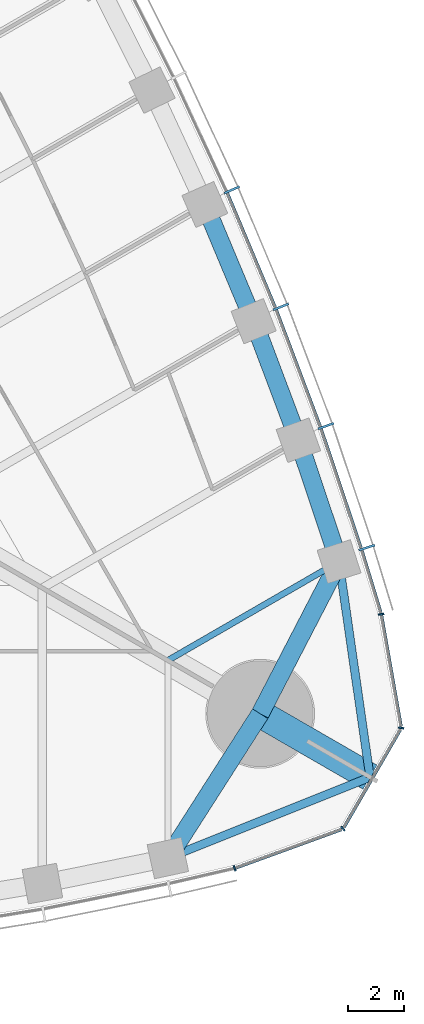
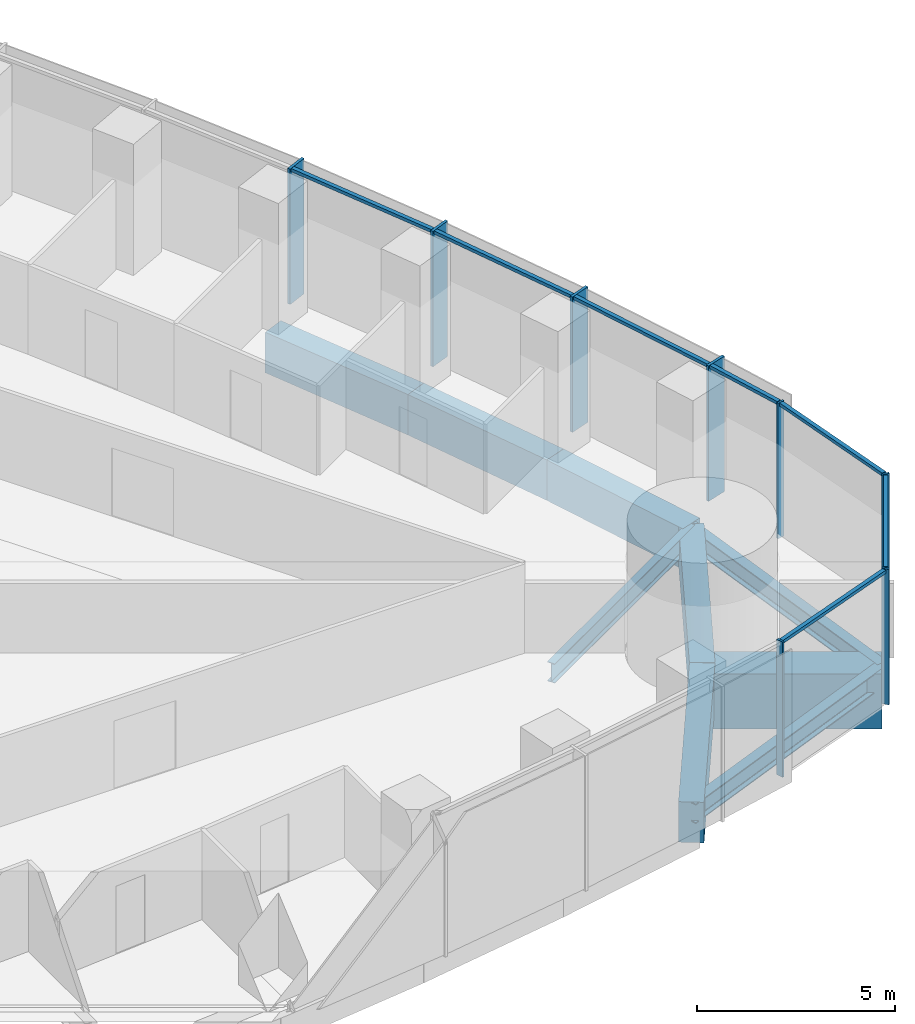
# One storey, part 8 of 21: 15 members, 9 beams, 2 elements without a shape of their own.
"""IFC4 building model written with IfcOpenShell, lengths in metres."""

from ifc_helpers import new_model, si_unit, direction, frame, origin, origin_2d, place, context, subcontext, project, spatial, rectangle, i_section, extrude, material, material_profile, profile_set, type_object, element, aggregate, save


model = new_model("IFC4")

# Units and contexts
model_context = context("Model", 3, precision=1e-05, world=origin(), true_north=direction((0.0, 1.0)))
body_context = subcontext(model_context, "Body", "Model", "MODEL_VIEW")
ifc_project = project(units=[si_unit("LENGTHUNIT", "METRE"), si_unit("AREAUNIT", "SQUARE_METRE"), si_unit("VOLUMEUNIT", "CUBIC_METRE"), si_unit("PLANEANGLEUNIT", "RADIAN"), si_unit("MASSUNIT", "GRAM", prefix="KILO")], contexts=[model_context])

# Site, building, storey
site_placement = place(None, origin())
site = spatial("IfcSite", under=ifc_project, at=site_placement, CompositionType="ELEMENT")
building_placement = place(site_placement, origin())
building = spatial("IfcBuilding", under=site, at=building_placement, Name="Trefoil Bronze Tower", CompositionType="ELEMENT")
storey_placement = place(building_placement, frame((0.0, 0.0, 149.300048828125)))
storey = spatial("IfcBuildingStorey", under=building, at=storey_placement, Name="L34", CompositionType="ELEMENT", Elevation=149.300048828125)

# Curtain wall, members
ifc_material_1 = material(Name="Tinted solar-control glass", Category="glass")
curtain_wall_type_1 = type_object("IfcCurtainWallType", Name="Bronze office curtain wall", PredefinedType="USERDEFINED", material=ifc_material_1)
curtain_wall_1_placement = place(storey_placement, origin())
curtain_wall_1 = element("IfcCurtainWall", 1, at=curtain_wall_1_placement, inside=storey, type_object=curtain_wall_type_1, Name="CW-A L34 F2", ObjectType="CURTAIN WALL", PredefinedType="USERDEFINED")
ifc_material_2 = material(Name="Bronze-finish aluminium", Category="aluminium")
ifc_material_profile_1 = material_profile(ifc_material_2, rectangle(XDim=0.60009765625, YDim=0.080078125, at=origin_2d()), Name="CW-A mullion")
ifc_profile_set_1 = profile_set([ifc_material_profile_1], Name="Bronze-finish aluminium")
member_type_1 = type_object("IfcMemberType", Name="Bronze office curtain wall mullion", PredefinedType="MULLION", material=ifc_profile_set_1)
member_1_placement = place(storey_placement, frame((34.1337890625, -11.543212890625, 0.0), z_axis=(0.0, 0.0, 1.0), x_axis=(-0.952331125357, -0.30506626768, 0.0)))
member_1 = element("IfcMember", 2, at=member_1_placement, type_object=member_type_1, Name="CW-A L34 F2 mullion 2", PredefinedType="MULLION", context=body_context, shape_type="SweptSolid", body=[
    extrude(rectangle(XDim=0.60009765625, YDim=0.080078125, at=origin_2d()), origin(), (0.0, 0.0, 1.0), 4.179931640625),
])
member_2_placement = place(storey_placement, frame((32.668701171875, -7.181884765625, 0.0), z_axis=(0.0, 0.0, 1.0), x_axis=(-0.94196250502, -0.335718094742, 0.0)))
member_2 = element("IfcMember", 3, at=member_2_placement, type_object=member_type_1, Name="CW-A L34 F2 mullion 3", PredefinedType="MULLION", context=body_context, shape_type="SweptSolid", body=[
    extrude(rectangle(XDim=0.60009765625, YDim=0.080078125, at=origin_2d()), origin(), (0.0, 0.0, 1.0), 4.179931640625),
])
member_3_placement = place(storey_placement, frame((31.055419921875, -2.90478515625, 0.0), z_axis=(0.0, 0.0, 1.0), x_axis=(-0.929071242848, -0.369900832269, 0.0)))
member_3 = element("IfcMember", 4, at=member_3_placement, type_object=member_type_1, Name="CW-A L34 F2 mullion 4", PredefinedType="MULLION", context=body_context, shape_type="SweptSolid", body=[
    extrude(rectangle(XDim=0.60009765625, YDim=0.080078125, at=origin_2d()), origin(), (0.0, 0.0, 1.0), 4.179931640625),
])
member_4_placement = place(storey_placement, frame((29.296875, 1.28857421875, 0.0), z_axis=(0.0, 0.0, 1.0), x_axis=(-0.915018269914, -0.40341240155, 0.0)))
member_4 = element("IfcMember", 5, at=member_4_placement, type_object=member_type_1, Name="CW-A L34 F2 mullion 5", PredefinedType="MULLION", context=body_context, shape_type="SweptSolid", body=[
    extrude(rectangle(XDim=0.60009765625, YDim=0.080078125, at=origin_2d()), origin(), (0.0, 0.0, 1.0), 4.179931640625),
])
ifc_material_3 = material(Name="Bronze-finish aluminium", Category="aluminium")
ifc_material_profile_2 = material_profile(ifc_material_3, rectangle(XDim=0.1201171875, YDim=0.10009765625, at=origin_2d()), Name="CW-A transom")
ifc_profile_set_2 = profile_set([ifc_material_profile_2], Name="Bronze-finish aluminium")
member_type_2 = type_object("IfcMemberType", Name="Bronze office curtain wall transom", PredefinedType="USERDEFINED", material=ifc_profile_set_2)
member_5_placement = place(storey_placement, frame((34.637939453125, -13.88232421875, 4.1298828125), z_axis=(-0.291680468798, 0.956515814883, 0.0), x_axis=(-0.956515814883, -0.291680468798, 0.0)))
member_5 = element("IfcMember", 6, at=member_5_placement, type_object=member_type_2, Name="CW-A L34 F2 transom 1", ObjectType="TRANSOM", PredefinedType="USERDEFINED", context=body_context, shape_type="SweptSolid", body=[
    extrude(rectangle(XDim=0.1201171875, YDim=0.10009765625, at=origin_2d()), origin(), (0.0, 0.0, 1.0), 2.34033203125),
])
member_6_placement = place(storey_placement, frame((33.929931640625, -11.56494140625, 4.1298828125), z_axis=(-0.318386323729, 0.947961048178, 0.0), x_axis=(-0.947961048178, -0.318386323729, 0.0)))
member_6 = element("IfcMember", 7, at=member_6_placement, type_object=member_type_2, Name="CW-A L34 F2 transom 2", ObjectType="TRANSOM", PredefinedType="USERDEFINED", context=body_context, shape_type="SweptSolid", body=[
    extrude(rectangle(XDim=0.1201171875, YDim=0.10009765625, at=origin_2d()), origin(), (0.0, 0.0, 1.0), 4.51123046875),
])
member_7_placement = place(storey_placement, frame((32.465576171875, -7.2099609375, 4.1298828125), z_axis=(-0.352932154759, 0.935648916067, 0.0), x_axis=(-0.935648916067, -0.352932154759, 0.0)))
member_7 = element("IfcMember", 8, at=member_7_placement, type_object=member_type_2, Name="CW-A L34 F2 transom 3", ObjectType="TRANSOM", PredefinedType="USERDEFINED", context=body_context, shape_type="SweptSolid", body=[
    extrude(rectangle(XDim=0.1201171875, YDim=0.10009765625, at=origin_2d()), origin(), (0.0, 0.0, 1.0), 4.48046875),
])
member_8_placement = place(storey_placement, frame((30.853515625, -2.940185546875, 4.1298828125), z_axis=(-0.386773266184, 0.922174842731, 0.0), x_axis=(-0.922174842731, -0.386773266184, 0.0)))
member_8 = element("IfcMember", 9, at=member_8_placement, type_object=member_type_2, Name="CW-A L34 F2 transom 4", ObjectType="TRANSOM", PredefinedType="USERDEFINED", context=body_context, shape_type="SweptSolid", body=[
    extrude(rectangle(XDim=0.1201171875, YDim=0.10009765625, at=origin_2d()), origin(), (0.0, 0.0, 1.0), 4.45654296875),
])
aggregate(curtain_wall_1, [member_1, member_2, member_3, member_4, member_5, member_6, member_7, member_8])

ifc_material_4 = material(Name="Tinted solar-control glass", Category="glass")
curtain_wall_type_2 = type_object("IfcCurtainWallType", Name="Bronze rounded corner curtain wall", PredefinedType="USERDEFINED", material=ifc_material_4)
curtain_wall_2_placement = place(storey_placement, origin())
curtain_wall_2 = element("IfcCurtainWall", 10, at=curtain_wall_2_placement, inside=storey, type_object=curtain_wall_type_2, Name="CW-B L34 K1", ObjectType="CURTAIN WALL", PredefinedType="USERDEFINED")
ifc_material_5 = material(Name="Bronze-finish aluminium", Category="aluminium")
ifc_material_profile_3 = material_profile(ifc_material_5, rectangle(XDim=0.199951171875, YDim=0.06005859375, at=origin_2d()), Name="CW-B mullion")
ifc_profile_set_3 = profile_set([ifc_material_profile_3], Name="Bronze-finish aluminium")
member_type_3 = type_object("IfcMemberType", Name="Bronze rounded corner curtain wall mullion", PredefinedType="MULLION", material=ifc_profile_set_3)
member_9_placement = place(storey_placement, frame((29.391845703125, -23.043701171875, 0.0), z_axis=(0.0, 0.0, 1.0), x_axis=(-0.342020143326, 0.939692620786, 0.0)))
member_9 = element("IfcMember", 11, at=member_9_placement, type_object=member_type_3, Name="CW-B L34 K1 mullion 1", PredefinedType="MULLION", context=body_context, shape_type="SweptSolid", body=[
    extrude(rectangle(XDim=0.199951171875, YDim=0.06005859375, at=origin_2d()), origin(), (0.0, 0.0, 1.0), 4.179931640625),
])
member_10_placement = place(storey_placement, frame((33.27880859375, -21.62255859375, 0.0), z_axis=(0.0, 0.0, 1.0), x_axis=(-0.642787609687, 0.766044443119, 0.0)))
member_10 = element("IfcMember", 12, at=member_10_placement, type_object=member_type_3, Name="CW-B L34 K1 mullion 2", PredefinedType="MULLION", context=body_context, shape_type="SweptSolid", body=[
    extrude(rectangle(XDim=0.199951171875, YDim=0.06005859375, at=origin_2d()), origin(), (0.0, 0.0, 1.0), 4.179931640625),
])
member_11_placement = place(storey_placement, frame((35.364990234375, -18.009033203125, 0.0), z_axis=(0.0, 0.0, 1.0), x_axis=(-0.984807753012, 0.173648177667, 0.0)))
member_11 = element("IfcMember", 13, at=member_11_placement, type_object=member_type_3, Name="CW-B L34 K1 mullion 3", PredefinedType="MULLION", context=body_context, shape_type="SweptSolid", body=[
    extrude(rectangle(XDim=0.199951171875, YDim=0.06005859375, at=origin_2d()), origin(), (0.0, 0.0, 1.0), 4.179931640625),
])
member_12_placement = place(storey_placement, frame((34.65234375, -13.932373046875, 0.0), z_axis=(0.0, 0.0, 1.0), x_axis=(-0.984807753012, -0.173648177667, 0.0)))
member_12 = element("IfcMember", 14, at=member_12_placement, type_object=member_type_3, Name="CW-B L34 K1 mullion 4", PredefinedType="MULLION", context=body_context, shape_type="SweptSolid", body=[
    extrude(rectangle(XDim=0.199951171875, YDim=0.06005859375, at=origin_2d()), origin(), (0.0, 0.0, 1.0), 4.179931640625),
])
ifc_material_6 = material(Name="Bronze-finish aluminium", Category="aluminium")
ifc_material_profile_4 = material_profile(ifc_material_6, rectangle(XDim=0.1201171875, YDim=0.10009765625, at=origin_2d()), Name="CW-B transom")
ifc_profile_set_4 = profile_set([ifc_material_profile_4], Name="Bronze-finish aluminium")
member_type_4 = type_object("IfcMemberType", Name="Bronze rounded corner curtain wall transom", PredefinedType="USERDEFINED", material=ifc_profile_set_4)
member_13_placement = place(storey_placement, frame((29.420166015625, -23.033447265625, 4.1298828125), z_axis=(0.939684096629, 0.342043562347, 0.0), x_axis=(-0.342043562347, 0.939684096629, 0.0)))
member_13 = element("IfcMember", 15, at=member_13_placement, type_object=member_type_4, Name="CW-B L34 K1 transom 1", ObjectType="TRANSOM", PredefinedType="USERDEFINED", context=body_context, shape_type="SweptSolid", body=[
    extrude(rectangle(XDim=0.1201171875, YDim=0.10009765625, at=origin_2d()), origin(), (0.0, 0.0, 1.0), 4.044189453125),
])
member_14_placement = place(storey_placement, frame((33.31591796875, -21.570068359375, 4.1298828125), z_axis=(0.500015078168, 0.866016698225, 0.0), x_axis=(-0.866016698225, 0.500015078168, 0.0)))
member_14 = element("IfcMember", 16, at=member_14_placement, type_object=member_type_4, Name="CW-B L34 K1 transom 2", ObjectType="TRANSOM", PredefinedType="USERDEFINED", context=body_context, shape_type="SweptSolid", body=[
    extrude(rectangle(XDim=0.1201171875, YDim=0.10009765625, at=origin_2d()), origin(), (0.0, 0.0, 1.0), 4.04443359375),
])
member_15_placement = place(storey_placement, frame((35.35986328125, -17.944580078125, 4.1298828125), z_axis=(-0.173682016639, 0.984801785689, 0.0), x_axis=(-0.984801785689, -0.173682016639, 0.0)))
member_15 = element("IfcMember", 17, at=member_15_placement, type_object=member_type_4, Name="CW-B L34 K1 transom 3", ObjectType="TRANSOM", PredefinedType="USERDEFINED", context=body_context, shape_type="SweptSolid", body=[
    extrude(rectangle(XDim=0.1201171875, YDim=0.10009765625, at=origin_2d()), origin(), (0.0, 0.0, 1.0), 4.044189453125),
])
aggregate(curtain_wall_2, [member_9, member_10, member_11, member_12, member_13, member_14, member_15])

# Beams
ifc_material_7 = material(Name="Concrete B80", Category="concrete")
ifc_material_profile_5 = material_profile(ifc_material_7, rectangle(XDim=1.0, YDim=1.699951171875, at=origin_2d()), Name="RC 1000x1700")
ifc_profile_set_5 = profile_set([ifc_material_profile_5], Name="Concrete B80")
beam_type_1 = type_object("IfcBeamType", Name="Corner cantilever RC 1000x1700", PredefinedType="BEAM", material=ifc_profile_set_5)
beam_1_placement = place(storey_placement, frame((30.310791015625, -17.5, -1.050048828125), z_axis=(0.866031878637, -0.499988785058, 0.0), x_axis=(0.499988785058, 0.866031878637, 0.0)))
element("IfcBeam", 18, at=beam_1_placement, inside=storey, type_object=beam_type_1, Name="Corner cantilever K1 L34", PredefinedType="BEAM", context=body_context, shape_type="SweptSolid", body=[
    extrude(rectangle(XDim=1.0, YDim=1.699951171875, at=origin_2d()), origin(), (0.0, 0.0, 1.0), 4.54931640625),
])
ifc_material_8 = material(Name="Steel C355", Category="steel")
ifc_material_profile_6 = material_profile(ifc_material_8, i_section(OverallWidth=0.300048828125, OverallDepth=0.60009765625, WebThickness=0.015380859375, FlangeThickness=0.030029296875, FilletRadius=0.027099609375, at=origin_2d()), Name="HEB 600")
ifc_profile_set_6 = profile_set([ifc_material_profile_6], Name="Steel C355")
beam_type_2 = type_object("IfcBeamType", Name="Corner edge beam HEB 600", PredefinedType="BEAM", material=ifc_profile_set_6)
for number, where, z_axis, x_axis, name in (
    (19, (27.0, -22.67724609375, -0.5), (0.928375332495, 0.371643972122, 0.0), (-0.371643972122, 0.928375332495, 0.0), "Corner edge beam F1A L34"),
    (20, (33.13916015625, -12.044189453125, -0.5), (0.142327214588, -0.989819662357, 0.0), (0.989819662357, 0.142327214588, 0.0), "Corner edge beam F2B L34"),
):
    element("IfcBeam", number, at=place(storey_placement, frame(where, z_axis=z_axis, x_axis=x_axis)), inside=storey, type_object=beam_type_2, Name=name, PredefinedType="BEAM", context=body_context, shape_type="SweptSolid", body=[
        extrude(i_section(OverallWidth=0.300048828125, OverallDepth=0.60009765625, WebThickness=0.015380859375, FlangeThickness=0.030029296875, FilletRadius=0.027099609375, at=origin_2d()), origin(), (0.0, 0.0, 1.0), 7.81005859375),
    ])
ifc_material_9 = material(Name="Concrete B80", Category="concrete")
ifc_material_profile_7 = material_profile(ifc_material_9, rectangle(XDim=0.64990234375, YDim=1.25, at=origin_2d()), Name="RC 650x1250")
ifc_profile_set_7 = profile_set([ifc_material_profile_7], Name="Concrete B80")
beam_type_3 = type_object("IfcBeamType", Name="End spandrel beam RC 650x1250", PredefinedType="SPANDREL", material=ifc_profile_set_7)
for number, where, z_axis, x_axis, name in (
    (21, (27.0, -22.67724609375, -0.824951171875), (0.53874814953, 0.84246687257, 0.0), (-0.84246687257, 0.53874814953, 0.0), "Spandrel F1.14 L34"),
    (22, (30.310791015625, -17.5, -0.824951171875), (0.460244107083, 0.887792409235, 0.0), (-0.887792409235, 0.460244107083, 0.0), "Spandrel F2.1 L34"),
):
    element("IfcBeam", number, at=place(storey_placement, frame(where, z_axis=z_axis, x_axis=x_axis)), inside=storey, type_object=beam_type_3, Name=name, PredefinedType="SPANDREL", context=body_context, shape_type="SweptSolid", body=[
        extrude(rectangle(XDim=0.64990234375, YDim=1.25, at=origin_2d()), origin(), (0.0, 0.0, 1.0), 6.145263671875),
    ])
ifc_material_10 = material(Name="Steel C355", Category="steel")
ifc_material_profile_8 = material_profile(ifc_material_10, i_section(OverallWidth=0.219970703125, OverallDepth=0.60009765625, WebThickness=0.011962890625, FlangeThickness=0.01904296875, FilletRadius=0.02392578125, at=origin_2d()), Name="IPE 600")
ifc_profile_set_8 = profile_set([ifc_material_profile_8], Name="Steel C355")
beam_type_4 = type_object("IfcBeamType", Name="Floor beam IPE 600", PredefinedType="BEAM", material=ifc_profile_set_8)
beam_2_placement = place(storey_placement, frame((33.13916015625, -12.044189453125, -0.5), z_axis=(-0.866041060244, -0.499972881236, 0.0), x_axis=(0.499972881236, -0.866041060244, 0.0)))
element("IfcBeam", 23, at=beam_2_placement, inside=storey, type_object=beam_type_4, Name="Floor beam F2/-6 L34", PredefinedType="BEAM", context=body_context, shape_type="SweptSolid", body=[
    extrude(i_section(OverallWidth=0.219970703125, OverallDepth=0.60009765625, WebThickness=0.011962890625, FlangeThickness=0.01904296875, FilletRadius=0.02392578125, at=origin_2d()), origin(), (0.0, 0.0, 1.0), 7.0888671875),
])
ifc_material_11 = material(Name="Concrete B80", Category="concrete")
ifc_material_profile_9 = material_profile(ifc_material_11, rectangle(XDim=0.64990234375, YDim=1.25, at=origin_2d()), Name="RC 650x1250")
ifc_profile_set_9 = profile_set([ifc_material_profile_9], Name="Concrete B80")
beam_type_5 = type_object("IfcBeamType", Name="Spandrel beam RC 650x1250", PredefinedType="SPANDREL", material=ifc_profile_set_9)
beam_3_placement = place(storey_placement, frame((33.13916015625, -12.044189453125, -0.824951171875), z_axis=(-0.31732802068, 0.948315837309, 0.0), x_axis=(-0.948315837309, -0.31732802068, 0.0)))
element("IfcBeam", 24, at=beam_3_placement, inside=storey, type_object=beam_type_5, Name="Spandrel F2.2 L34", PredefinedType="SPANDREL", context=body_context, shape_type="SweptSolid", body=[
    extrude(rectangle(XDim=0.64990234375, YDim=1.25, at=origin_2d()), origin(), (0.0, 0.0, 1.0), 4.59228515625),
])
beam_4_placement = place(storey_placement, frame((31.681884765625, -7.689208984375, -0.824951171875), z_axis=(-0.351938675523, 0.936023059904, 0.0), x_axis=(-0.936023059904, -0.351938675523, 0.0)))
element("IfcBeam", 25, at=beam_4_placement, inside=storey, type_object=beam_type_5, Name="Spandrel F2.3 L34", PredefinedType="SPANDREL", context=body_context, shape_type="SweptSolid", body=[
    extrude(rectangle(XDim=0.64990234375, YDim=1.25, at=origin_2d()), origin(), (0.0, 0.0, 1.0), 4.56103515625),
])
beam_5_placement = place(storey_placement, frame((30.07666015625, -3.419921875, -0.824951171875), z_axis=(-0.386013490858, 0.922493135408, 0.0), x_axis=(-0.922493135408, -0.386013490858, 0.0)))
element("IfcBeam", 26, at=beam_5_placement, inside=storey, type_object=beam_type_5, Name="Spandrel F2.4 L34", PredefinedType="SPANDREL", context=body_context, shape_type="SweptSolid", body=[
    extrude(rectangle(XDim=0.64990234375, YDim=1.25, at=origin_2d()), origin(), (0.0, 0.0, 1.0), 4.53662109375),
])

save(model, "model.ifc")
